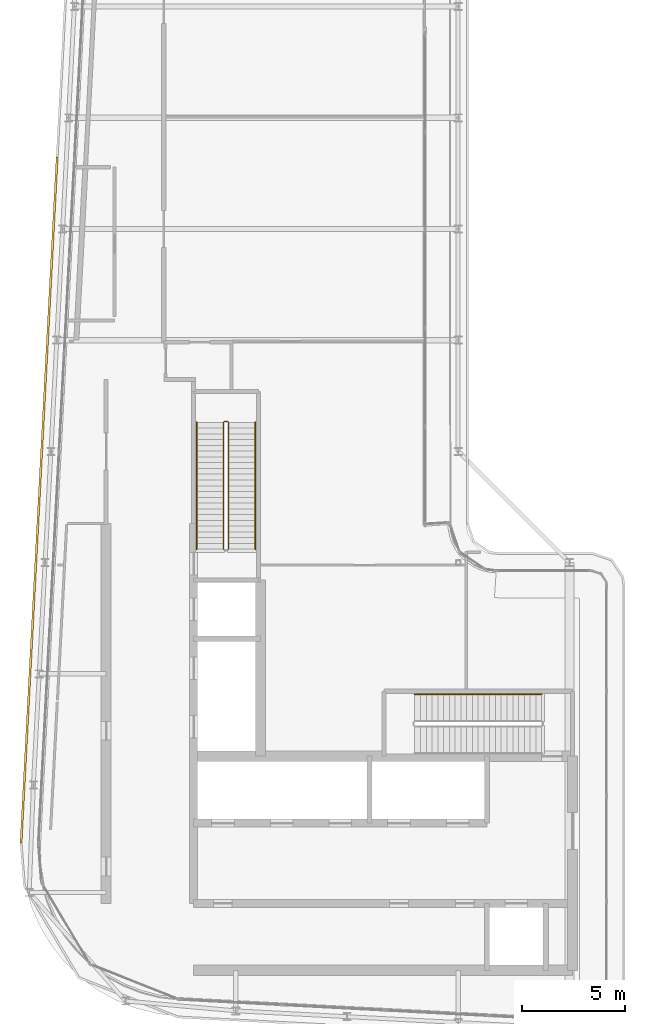
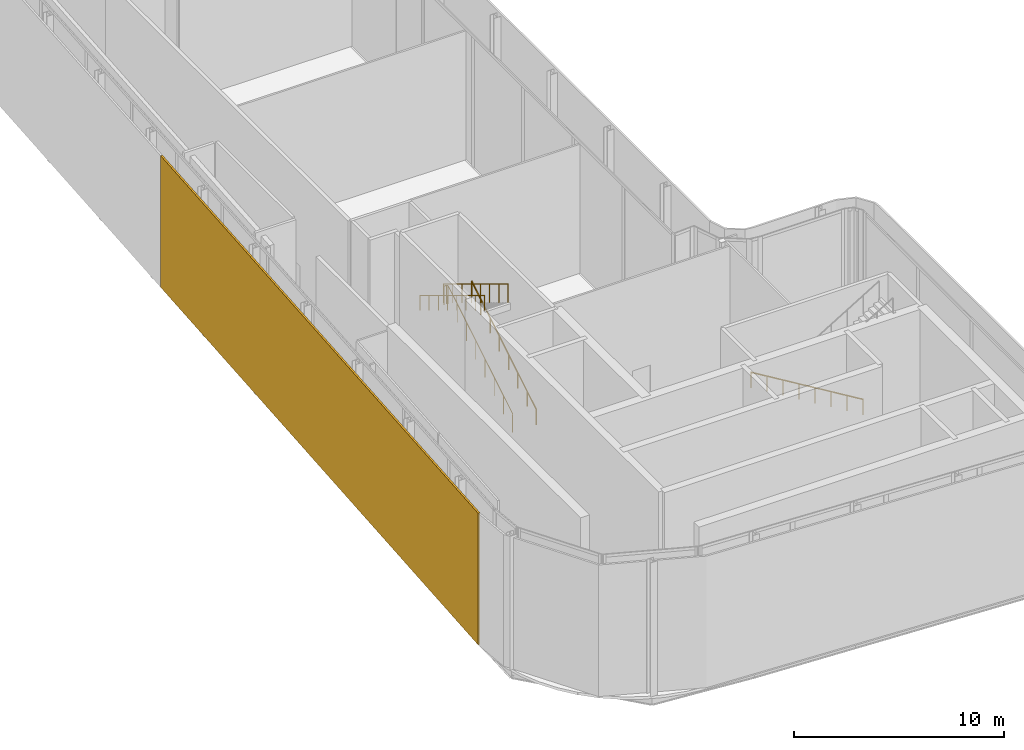
# One storey, part 21 of 23: 4 railings, 1 shading device.
"""IFC4 building model written with IfcOpenShell, lengths in metres."""

from ifc_helpers import new_model, si_unit, direction, frame, origin, origin_2d, place, context, subcontext, project, spatial, rectangle, circle, extrude, material, layer, layer_set, type_object, element, save


model = new_model("IFC4")

# Units and contexts
model_context = context("Model", 3, precision=1e-05, world=origin(), true_north=direction((0.0, 1.0)))
body_context = subcontext(model_context, "Body", "Model", "MODEL_VIEW")
ifc_project = project(units=[si_unit("LENGTHUNIT", "METRE"), si_unit("AREAUNIT", "SQUARE_METRE"), si_unit("VOLUMEUNIT", "CUBIC_METRE"), si_unit("PLANEANGLEUNIT", "RADIAN"), si_unit("MASSUNIT", "GRAM", prefix="KILO")], contexts=[model_context])

# Site, building, storey
site_placement = place(None, origin())
site = spatial("IfcSite", under=ifc_project, at=site_placement, CompositionType="ELEMENT")
building_placement = place(site_placement, origin())
building = spatial("IfcBuilding", under=site, at=building_placement, Name="Kheshtan School and Residences Tower", CompositionType="ELEMENT")
storey_placement = place(building_placement, frame((0.0, 0.0, 389.0)))
storey = spatial("IfcBuildingStorey", under=building, at=storey_placement, Name="L92", CompositionType="ELEMENT", Elevation=389.0)

# Shading device
ifc_material_1 = material(Name="Terracotta baguette, extruded ceramic", Category="masonry")
ifc_layer = layer(ifc_material_1, 0.10009765625)
ifc_layer_set = layer_set([ifc_layer], Name="Ledge screen, terracotta baguettes")
shading_device_type = type_object("IfcShadingDeviceType", Name="Ledge screen, terracotta baguettes", PredefinedType="USERDEFINED", material=ifc_layer_set)
shading_device_placement = place(storey_placement, frame((27.24609375, 48.638916015625, 0.0), z_axis=(0.0, 0.0, 1.0), x_axis=(0.052562536748, 0.998617634398, 0.0)))
element("IfcShadingDevice", 1, at=shading_device_placement, inside=storey, type_object=shading_device_type, Name="Screen L92 5", ObjectType="BAGUETTE", PredefinedType="USERDEFINED", context=body_context, shape_type="SweptSolid", body=[
    extrude(rectangle(XDim=33.341064453125, YDim=0.10009765625, at=origin_2d()), origin(), (0.0, 0.0, 1.0), 7.64990234375),
])

# Railings
ifc_material_2 = material(Name="Stainless steel balustrade", Category="steel")
railing_type_1 = type_object("IfcRailingType", Name="Stair guard 1100", PredefinedType="GUARDRAIL", material=ifc_material_2)
railing_1_placement = place(storey_placement, frame((36.449951171875, 46.25, 0.169677734375)))
element("IfcRailing", 2, at=railing_1_placement, inside=storey, type_object=railing_type_1, Name="L92 ST2 stair guard 1", PredefinedType="GUARDRAIL", context=body_context, shape_type="SweptSolid", body=[
    extrude(circle(Radius=0.02392578125, at=origin_2d()), frame((0.0, 0.0, 1.076171875), z_axis=(0.0, 0.855385842406, 0.517991371175), x_axis=(-1.0, 0.0, 0.0)), (0.0, 0.0, 1.0), 7.201416015625),
    extrude(circle(Radius=0.02392578125, at=origin_2d()), frame((0.0, 6.159912109375, 4.80615234375), z_axis=(-0.707106781187, 0.707106781187, 0.0), x_axis=(-0.707106781187, -0.707106781187, 0.0)), (0.0, 0.0, 1.0), 0.07080078125),
    extrude(circle(Radius=0.02392578125, at=origin_2d()), frame((-0.050048828125, 6.2099609375, 4.80615234375), z_axis=(-1.0, 0.0, 0.0), x_axis=(0.0, -1.0, 0.0)), (0.0, 0.0, 1.0), 0.14990234375),
    extrude(circle(Radius=0.02392578125, at=origin_2d()), frame((-0.199951171875, 6.2099609375, 4.80615234375), z_axis=(-0.272228512635, -0.272228512635, 0.92292105503), x_axis=(0.707106781187, -0.707106781187, 0.0)), (0.0, 0.0, 1.0), 0.183837890625),
    extrude(circle(Radius=0.02392578125, at=origin_2d()), frame((-0.25, 6.159912109375, 4.97607421875), z_axis=(0.0, -0.855370820849, 0.518016176234), x_axis=(1.0, 0.0, 0.0)), (0.0, 0.0, 1.0), 7.201416015625),
    extrude(circle(Radius=0.02099609375, at=origin_2d()), origin(), (0.0, 0.0, 1.0), 1.052001953125),
    extrude(circle(Radius=0.02099609375, at=origin_2d()), frame((0.0, 0.8798828125, 0.532958984375)), (0.0, 0.0, 1.0), 1.052001953125),
    extrude(circle(Radius=0.02099609375, at=origin_2d()), frame((0.0, 1.760009765625, 1.065673828125)), (0.0, 0.0, 1.0), 1.052001953125),
    extrude(circle(Radius=0.02099609375, at=origin_2d()), frame((0.0, 2.639892578125, 1.5986328125)), (0.0, 0.0, 1.0), 1.052001953125),
    extrude(circle(Radius=0.02099609375, at=origin_2d()), frame((0.0, 3.52001953125, 2.131591796875)), (0.0, 0.0, 1.0), 1.052001953125),
    extrude(circle(Radius=0.02099609375, at=origin_2d()), frame((0.0, 4.39990234375, 2.66455078125)), (0.0, 0.0, 1.0), 1.052001953125),
    extrude(circle(Radius=0.02099609375, at=origin_2d()), frame((0.0, 5.280029296875, 3.197265625)), (0.0, 0.0, 1.0), 1.052001953125),
    extrude(circle(Radius=0.02099609375, at=origin_2d()), frame((0.0, 6.159912109375, 3.730224609375)), (0.0, 0.0, 1.0), 1.052001953125),
    extrude(circle(Radius=0.02099609375, at=origin_2d()), frame((-0.050048828125, 6.2099609375, 3.730224609375)), (0.0, 0.0, 1.0), 1.052001953125),
    extrude(circle(Radius=0.02099609375, at=origin_2d()), frame((-0.199951171875, 6.2099609375, 3.730224609375)), (0.0, 0.0, 1.0), 1.052001953125),
    extrude(circle(Radius=0.02099609375, at=origin_2d()), frame((-0.25, 6.159912109375, 3.89990234375)), (0.0, 0.0, 1.0), 1.052001953125),
    extrude(circle(Radius=0.02099609375, at=origin_2d()), frame((-0.25, 5.280029296875, 4.432861328125)), (0.0, 0.0, 1.0), 1.052001953125),
    extrude(circle(Radius=0.02099609375, at=origin_2d()), frame((-0.25, 4.39990234375, 4.9658203125)), (0.0, 0.0, 1.0), 1.052001953125),
    extrude(circle(Radius=0.02099609375, at=origin_2d()), frame((-0.25, 3.52001953125, 5.498779296875)), (0.0, 0.0, 1.0), 1.052001953125),
    extrude(circle(Radius=0.02099609375, at=origin_2d()), frame((-0.25, 2.639892578125, 6.031494140625)), (0.0, 0.0, 1.0), 1.052001953125),
    extrude(circle(Radius=0.02099609375, at=origin_2d()), frame((-0.25, 1.760009765625, 6.564453125)), (0.0, 0.0, 1.0), 1.052001953125),
    extrude(circle(Radius=0.02099609375, at=origin_2d()), frame((-0.25, 0.8798828125, 7.097412109375)), (0.0, 0.0, 1.0), 1.052001953125),
    extrude(circle(Radius=0.02099609375, at=origin_2d()), frame((-0.25, 0.0, 7.63037109375)), (0.0, 0.0, 1.0), 1.052001953125),
])
ifc_material_3 = material(Name="Stainless steel handrail", Category="steel")
railing_type_2 = type_object("IfcRailingType", Name="Stair handrail 900", PredefinedType="HANDRAIL", material=ifc_material_3)
railing_2_placement = place(storey_placement, frame((51.64990234375, 39.199951171875, 0.169677734375)))
element("IfcRailing", 3, at=railing_2_placement, inside=storey, type_object=railing_type_2, Name="L92 ST1 stair handrail 1", PredefinedType="HANDRAIL", context=body_context, shape_type="SweptSolid", body=[
    extrude(circle(Radius=0.02392578125, at=origin_2d()), frame((0.0, 0.0, 0.8759765625), z_axis=(-0.855385842406, 0.0, 0.517991371175), x_axis=(0.0, -1.0, 0.0)), (0.0, 0.0, 1.0), 7.201416015625),
    extrude(circle(Radius=0.02099609375, at=origin_2d()), origin(), (0.0, 0.0, 1.0), 0.851806640625),
    extrude(circle(Radius=0.02099609375, at=origin_2d()), frame((-0.8798828125, 0.0, 0.532958984375)), (0.0, 0.0, 1.0), 0.851806640625),
    extrude(circle(Radius=0.02099609375, at=origin_2d()), frame((-1.760009765625, 0.0, 1.065673828125)), (0.0, 0.0, 1.0), 0.851806640625),
    extrude(circle(Radius=0.02099609375, at=origin_2d()), frame((-2.639892578125, 0.0, 1.5986328125)), (0.0, 0.0, 1.0), 0.851806640625),
    extrude(circle(Radius=0.02099609375, at=origin_2d()), frame((-3.52001953125, 0.0, 2.131591796875)), (0.0, 0.0, 1.0), 0.851806640625),
    extrude(circle(Radius=0.02099609375, at=origin_2d()), frame((-4.39990234375, 0.0, 2.66455078125)), (0.0, 0.0, 1.0), 0.851806640625),
    extrude(circle(Radius=0.02099609375, at=origin_2d()), frame((-5.280029296875, 0.0, 3.197265625)), (0.0, 0.0, 1.0), 0.851806640625),
    extrude(circle(Radius=0.02099609375, at=origin_2d()), frame((-6.159912109375, 0.0, 3.730224609375)), (0.0, 0.0, 1.0), 0.851806640625),
])
railing_3_placement = place(storey_placement, frame((37.75, 46.25, 0.169677734375)))
element("IfcRailing", 4, at=railing_3_placement, inside=storey, type_object=railing_type_2, Name="L92 ST2 stair handrail 1", PredefinedType="HANDRAIL", context=body_context, shape_type="SweptSolid", body=[
    extrude(circle(Radius=0.02392578125, at=origin_2d()), frame((0.0, 0.0, 0.8759765625), z_axis=(0.0, 0.855385842406, 0.517991371175), x_axis=(-1.0, 0.0, 0.0)), (0.0, 0.0, 1.0), 7.201416015625),
    extrude(circle(Radius=0.02099609375, at=origin_2d()), origin(), (0.0, 0.0, 1.0), 0.851806640625),
    extrude(circle(Radius=0.02099609375, at=origin_2d()), frame((0.0, 0.8798828125, 0.532958984375)), (0.0, 0.0, 1.0), 0.851806640625),
    extrude(circle(Radius=0.02099609375, at=origin_2d()), frame((0.0, 1.760009765625, 1.065673828125)), (0.0, 0.0, 1.0), 0.851806640625),
    extrude(circle(Radius=0.02099609375, at=origin_2d()), frame((0.0, 2.639892578125, 1.5986328125)), (0.0, 0.0, 1.0), 0.851806640625),
    extrude(circle(Radius=0.02099609375, at=origin_2d()), frame((0.0, 3.52001953125, 2.131591796875)), (0.0, 0.0, 1.0), 0.851806640625),
    extrude(circle(Radius=0.02099609375, at=origin_2d()), frame((0.0, 4.39990234375, 2.66455078125)), (0.0, 0.0, 1.0), 0.851806640625),
    extrude(circle(Radius=0.02099609375, at=origin_2d()), frame((0.0, 5.280029296875, 3.197265625)), (0.0, 0.0, 1.0), 0.851806640625),
    extrude(circle(Radius=0.02099609375, at=origin_2d()), frame((0.0, 6.159912109375, 3.730224609375)), (0.0, 0.0, 1.0), 0.851806640625),
])
railing_4_placement = place(storey_placement, frame((34.89990234375, 52.409912109375, 4.069580078125)))
element("IfcRailing", 5, at=railing_4_placement, inside=storey, type_object=railing_type_2, Name="L92 ST2 stair handrail 2", PredefinedType="HANDRAIL", context=body_context, shape_type="SweptSolid", body=[
    extrude(circle(Radius=0.02392578125, at=origin_2d()), frame((0.0, 0.0, 0.8759765625), z_axis=(0.0, -0.855370820849, 0.518016176234), x_axis=(1.0, 0.0, 0.0)), (0.0, 0.0, 1.0), 7.201416015625),
    extrude(circle(Radius=0.02099609375, at=origin_2d()), origin(), (0.0, 0.0, 1.0), 0.851806640625),
    extrude(circle(Radius=0.02099609375, at=origin_2d()), frame((0.0, -0.8798828125, 0.532958984375)), (0.0, 0.0, 1.0), 0.851806640625),
    extrude(circle(Radius=0.02099609375, at=origin_2d()), frame((0.0, -1.760009765625, 1.06591796875)), (0.0, 0.0, 1.0), 0.851806640625),
    extrude(circle(Radius=0.02099609375, at=origin_2d()), frame((0.0, -2.639892578125, 1.598876953125)), (0.0, 0.0, 1.0), 0.851806640625),
    extrude(circle(Radius=0.02099609375, at=origin_2d()), frame((0.0, -3.52001953125, 2.131591796875)), (0.0, 0.0, 1.0), 0.851806640625),
    extrude(circle(Radius=0.02099609375, at=origin_2d()), frame((0.0, -4.39990234375, 2.66455078125)), (0.0, 0.0, 1.0), 0.851806640625),
    extrude(circle(Radius=0.02099609375, at=origin_2d()), frame((0.0, -5.280029296875, 3.197509765625)), (0.0, 0.0, 1.0), 0.851806640625),
    extrude(circle(Radius=0.02099609375, at=origin_2d()), frame((0.0, -6.159912109375, 3.73046875)), (0.0, 0.0, 1.0), 0.851806640625),
])

save(model, "model.ifc")
